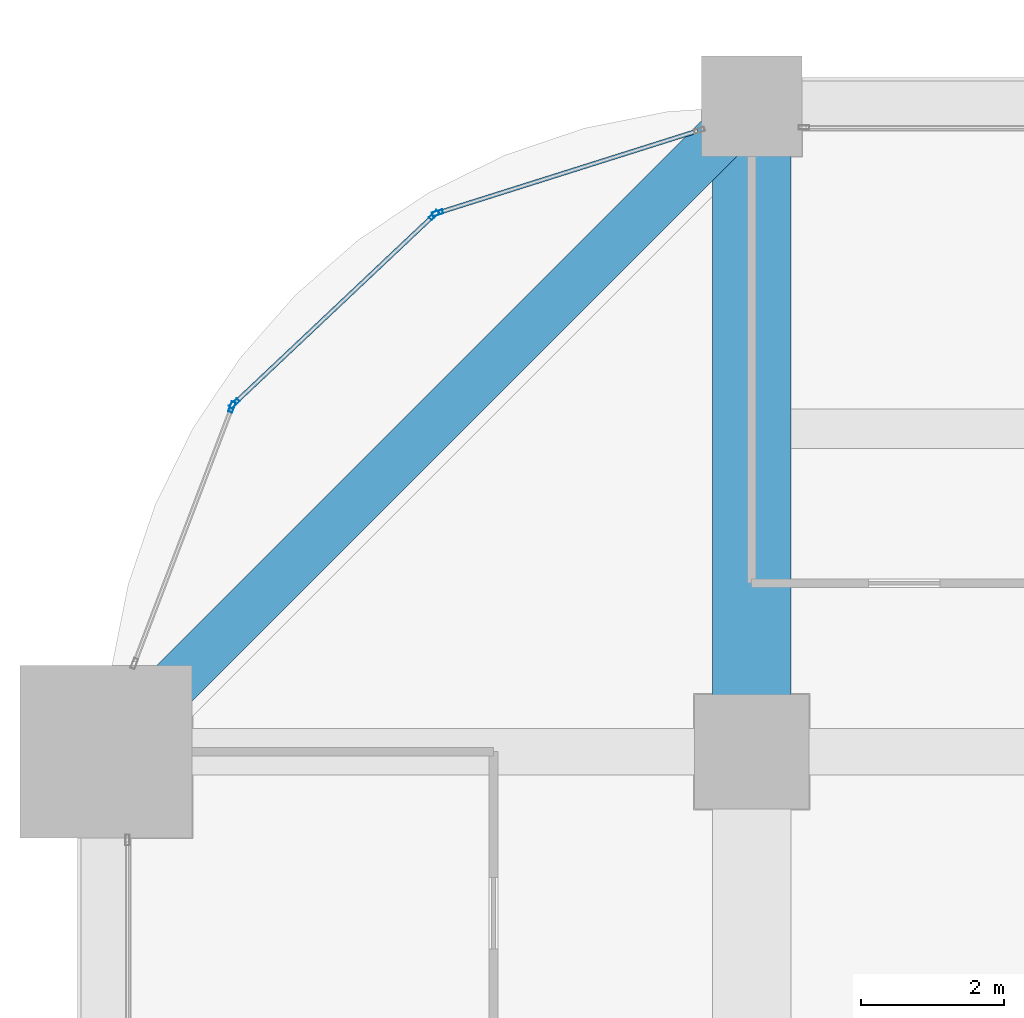
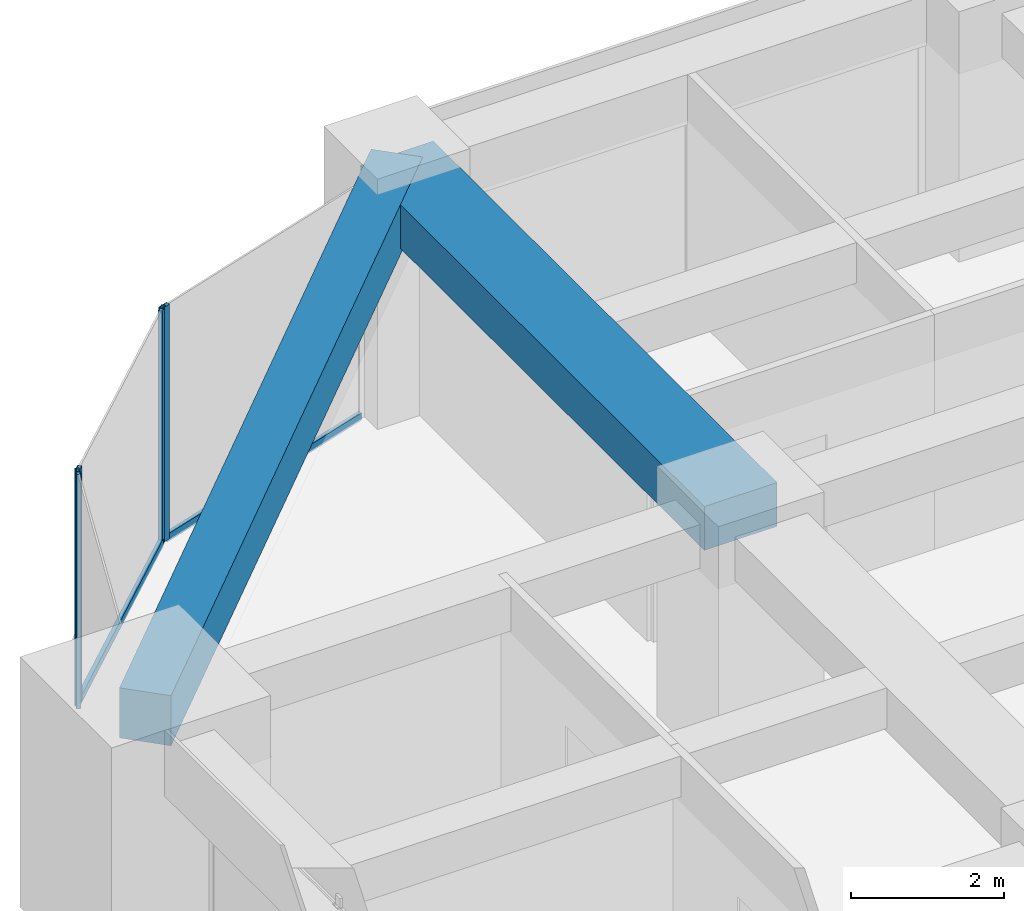
# One storey, part 22 of 34: 6 members, 2 beams, 3 elements without a shape of their own.
"""IFC4 building model written with IfcOpenShell, lengths in metres."""

import ifcopenshell
import ifcopenshell.guid

model = None  # the IFC model being written
_history = None  # IfcOwnerHistory: only IFC2X3 demands one
_inside = {}  # id of a spatial element -> (the spatial element, [elements in it])
_under = {}  # id of a project, library or spatial element -> (it, [spatial elements below it])
_declared = {}  # id of a project -> (the project, [libraries it declares])
_typed = {}  # id of a type object -> (the type object, [elements of that type])
_made_of = {}  # id of a material, layer set ... -> (it, [elements and type objects made of it])


def new_model(schema):
    """Start an empty IFC model of exactly this schema.

    Asked for "IFC4X3", IfcOpenShell would pick the latest addendum, in which some entities
    have other attributes; the version numbers below select the first issue.
    IFC2X3 requires an IfcOwnerHistory on every rooted entity: one is made here for all.
    """
    global model, _history
    if schema == "IFC4X3":
        model = ifcopenshell.file(schema_version=(4, 3, 0, 0))
    else:
        model = ifcopenshell.file(schema=schema)
    _inside.clear()
    _under.clear()
    _declared.clear()
    _typed.clear()
    _made_of.clear()
    _history = None
    if model.schema == "IFC2X3":
        org = make("IfcOrganization", Name="unknown")
        user = make(
            "IfcPersonAndOrganization",
            ThePerson=make("IfcPerson", FamilyName="unknown"),
            TheOrganization=org,
        )
        app = make(
            "IfcApplication",
            ApplicationDeveloper=org,
            Version="unknown",
            ApplicationFullName="unknown",
            ApplicationIdentifier="unknown",
        )
        _history = make(
            "IfcOwnerHistory",
            OwningUser=user,
            OwningApplication=app,
            ChangeAction="ADDED",
            CreationDate=0,
        )
    return model


def make(cls, **values):
    """One entity of the class cls with the attributes given. An attribute that is None is left unset."""
    return model.create_entity(
        cls, **{name: value for name, value in values.items() if value is not None}
    )


def rooted(cls, **values):
    """An entity with a GlobalId (a new one), such as an element, a storey or a relation."""
    return make(cls, GlobalId=ifcopenshell.guid.new(), OwnerHistory=_history, **values)


def si_unit(unit_type, name, prefix=None):
    """IfcSIUnit, for example si_unit("LENGTHUNIT", "METRE", prefix="MILLI")."""
    return make("IfcSIUnit", UnitType=unit_type, Prefix=prefix, Name=name)


def assignment(units):
    """IfcUnitAssignment: the units of a project."""
    return None if units is None else make("IfcUnitAssignment", Units=units)


def point(xyz):
    """IfcCartesianPoint."""
    return None if xyz is None else make("IfcCartesianPoint", Coordinates=xyz)


def direction(xyz):
    """IfcDirection."""
    return None if xyz is None else make("IfcDirection", DirectionRatios=xyz)


def frame(location, z_axis=None, x_axis=None):
    """IfcAxis2Placement3D, a coordinate frame: its origin and axes. An axis left out is left unset."""
    return make(
        "IfcAxis2Placement3D",
        Location=point(location),
        Axis=direction(z_axis),
        RefDirection=direction(x_axis),
    )


def frame_2d(location, x_axis=None):
    """IfcAxis2Placement2D, a coordinate frame in the plane: its origin and x axis."""
    return make(
        "IfcAxis2Placement2D", Location=point(location), RefDirection=direction(x_axis)
    )


def origin():
    """The frame at (0, 0, 0) with its axes left unset."""
    return frame((0.0, 0.0, 0.0))


def origin_2d():
    """The frame at (0, 0) in the plane with its x axis left unset."""
    return frame_2d((0.0, 0.0))


def place(relative_to, where):
    """IfcLocalPlacement: puts the frame where relative to a parent placement (None: the world)."""
    return make(
        "IfcLocalPlacement", PlacementRelTo=relative_to, RelativePlacement=where
    )


def context(
    kind, dimensions, precision=None, world=None, true_north=None, identifier=None
):
    """IfcGeometricRepresentationContext, for example the 3D "Model" context."""
    return make(
        "IfcGeometricRepresentationContext",
        ContextIdentifier=identifier,
        ContextType=kind,
        CoordinateSpaceDimension=dimensions,
        Precision=precision,
        WorldCoordinateSystem=world,
        TrueNorth=true_north,
    )


def subcontext(parent, identifier, kind, view, scale=None):
    """IfcGeometricRepresentationSubContext, for example "Body" below "Model"."""
    return make(
        "IfcGeometricRepresentationSubContext",
        ContextIdentifier=identifier,
        ContextType=kind,
        ParentContext=parent,
        TargetScale=scale,
        TargetView=view,
    )


def project(units=None, contexts=None):
    """IfcProject with its units and contexts."""
    return rooted(
        "IfcProject",
        Name="project",
        RepresentationContexts=contexts,
        UnitsInContext=assignment(units),
    )


def spatial(cls, under=None, at=None, **own):
    """A site, building, storey or space (cls), placed at a placement, below another one or the project."""
    s = rooted(cls, ObjectPlacement=at, **own)
    if under is not None:
        _under.setdefault(under.id(), (under, []))[1].append(s)
    return s


def profile(cls, at=None, kind="AREA", **sizes):
    """A parametric profile (cls). Its sizes go by their IFC names, for example OverallWidth=200.0."""
    return make(cls, ProfileType=kind, Position=at, **sizes)


def rectangle(**sizes):
    """IfcRectangleProfileDef."""
    return profile("IfcRectangleProfileDef", **sizes)


def hollow_rectangle(**sizes):
    """IfcRectangleHollowProfileDef."""
    return profile("IfcRectangleHollowProfileDef", **sizes)


def extrude(swept, where, along, depth):
    """IfcExtrudedAreaSolid: the profile swept, set in the frame where, extruded along a direction by depth."""
    return make(
        "IfcExtrudedAreaSolid",
        SweptArea=swept,
        Position=where,
        ExtrudedDirection=direction(along),
        Depth=depth,
    )


def shape(context_of_items, identifier, shape_type, items):
    """IfcShapeRepresentation: the items that make up one representation, for example the "Body"."""
    return make(
        "IfcShapeRepresentation",
        ContextOfItems=context_of_items,
        RepresentationIdentifier=identifier,
        RepresentationType=shape_type,
        Items=items,
    )


def material(Name=None, Category=None):
    """IfcMaterial."""
    return make("IfcMaterial", Name=Name, Category=Category)


def material_profile(
    of_material, cross_section, Name=None, Category=None, Priority=None
):
    """IfcMaterialProfile: a cross section and its material."""
    return make(
        "IfcMaterialProfile",
        Name=Name,
        Material=of_material,
        Profile=cross_section,
        Priority=Priority,
        Category=Category,
    )


def profile_set(profiles, Name=None, composite=None):
    """IfcMaterialProfileSet."""
    return make(
        "IfcMaterialProfileSet",
        Name=Name,
        MaterialProfiles=profiles,
        CompositeProfile=composite,
    )


def made_of(thing, what):
    """Note that an element or type object is made of a material, layer set ...; save() writes the relation."""
    if what is not None:
        _made_of.setdefault(what.id(), (what, []))[1].append(thing)
    return thing


def type_object(cls, material=None, **own):
    """A type object (cls), such as IfcWallType, which elements share."""
    return made_of(rooted(cls, **own), material)


def element(
    cls,
    number,
    at=None,
    inside=None,
    cuts=None,
    type_object=None,
    material=None,
    context=None,
    identifier="Body",
    shape_type=None,
    held_by="IfcProductDefinitionShape",
    body=None,
    shapes=None,
    **own,
):
    """One element of the class cls, such as IfcWall. Its Tag is "e" and its number.

    at: its placement. inside: the storey or other place that contains it. cuts: it is an
    opening in that element (IfcRelVoidsElement). A single representation is given by context,
    identifier, shape_type and body (its items); several are given by shapes. held_by: the class
    of the entity that holds the representations. save() writes the other relations.
    """
    e = rooted(cls, Tag="e%d" % number, ObjectPlacement=at, **own)
    if body is not None:
        shapes = [shape(context, identifier, shape_type, body)]
    if shapes is not None:
        e.Representation = make(held_by, Representations=shapes)
    if inside is not None:
        _inside.setdefault(inside.id(), (inside, []))[1].append(e)
    if cuts is not None:
        rooted(
            "IfcRelVoidsElement", RelatingBuildingElement=cuts, RelatedOpeningElement=e
        )
    if type_object is not None:
        _typed.setdefault(type_object.id(), (type_object, []))[1].append(e)
    return made_of(e, material)


def aggregate(whole, parts):
    """IfcRelAggregates: a whole, such as a stair, and the parts it consists of."""
    return rooted("IfcRelAggregates", RelatingObject=whole, RelatedObjects=parts)


def save(model, path):
    """Write the relations noted so far, then the file.

    IfcRelAggregates (storeys below a building ...), IfcRelContainedInSpatialStructure (elements
    in a storey), IfcRelDefinesByType, IfcRelAssociatesMaterial and IfcRelDeclares: one each for
    every whole, place, type object, material and project.
    """
    for whole, parts in _under.values():
        aggregate(whole, parts)
    for where, things in _inside.values():
        rooted(
            "IfcRelContainedInSpatialStructure",
            RelatedElements=things,
            RelatingStructure=where,
        )
    for kind, things in _typed.values():
        rooted("IfcRelDefinesByType", RelatedObjects=things, RelatingType=kind)
    for what, things in _made_of.values():
        rooted("IfcRelAssociatesMaterial", RelatedObjects=things, RelatingMaterial=what)
    for by, libraries in _declared.values():
        rooted("IfcRelDeclares", RelatingContext=by, RelatedDefinitions=libraries)
    model.write(path)


model = new_model("IFC4")

# Units and contexts
model_context = context("Model", 3, precision=1e-05, world=origin(), true_north=direction((0.0, 1.0)))
body_context = subcontext(model_context, "Body", "Model", "MODEL_VIEW")
ifc_project = project(units=[si_unit("LENGTHUNIT", "METRE"), si_unit("AREAUNIT", "SQUARE_METRE"), si_unit("VOLUMEUNIT", "CUBIC_METRE"), si_unit("PLANEANGLEUNIT", "RADIAN"), si_unit("MASSUNIT", "GRAM", prefix="KILO")], contexts=[model_context])

# Site, building, storey
site_placement = place(None, origin())
site = spatial("IfcSite", under=ifc_project, at=site_placement, CompositionType="ELEMENT")
building_placement = place(site_placement, origin())
building = spatial("IfcBuilding", under=site, at=building_placement, Name="Zorevar Civic Tower", CompositionType="ELEMENT")
storey_placement = place(building_placement, frame((0.0, 0.0, 170.199951171875)))
storey = spatial("IfcBuildingStorey", under=building, at=storey_placement, Name="L41", CompositionType="ELEMENT", Elevation=170.199951171875)

# Beam
ifc_material_1 = material(Name="Concrete C50/60", Category="concrete")
ifc_material_profile_1 = material_profile(ifc_material_1, rectangle(XDim=1.10009765625, YDim=0.699951171875, at=origin_2d()), Name="RC 1100x700")
ifc_profile_set_1 = profile_set([ifc_material_profile_1], Name="Concrete C50/60")
beam_type_1 = type_object("IfcBeamType", Name="Beam RC 1100x700", PredefinedType="BEAM", material=ifc_profile_set_1)
beam_1_placement = place(storey_placement, frame((9.0, 36.0, 3.400146484375), z_axis=(0.0, 1.0, 0.0), x_axis=(-1.0, 0.0, 0.0)))
element("IfcBeam", 1, at=beam_1_placement, inside=storey, type_object=beam_type_1, Name="Girder L42", PredefinedType="BEAM", context=body_context, shape_type="SweptSolid", body=[
    extrude(rectangle(XDim=1.10009765625, YDim=0.699951171875, at=origin_2d()), origin(), (0.0, 0.0, 1.0), 9.0),
])

# Curtain wall, member
ifc_material_2 = material(Name="Dark grey solar-control glass in black aluminium frame", Category="aluminium")
curtain_wall_type = type_object("IfcCurtainWallType", Name="Curtain wall CW4 high zone", PredefinedType="NOTDEFINED", material=ifc_material_2)
curtain_wall_1_placement = place(storey_placement, origin())
curtain_wall_1 = element("IfcCurtainWall", 2, at=curtain_wall_1_placement, inside=storey, type_object=curtain_wall_type, Name="CW4 L41", PredefinedType="NOTDEFINED")
ifc_material_3 = material(Name="Aluminium, black anodised", Category="aluminium")
ifc_material_profile_2 = material_profile(ifc_material_3, hollow_rectangle(XDim=0.06005859375, YDim=0.14990234375, WallThickness=0.00390625, at=origin_2d()), Name="AL 150x60x4")
ifc_profile_set_2 = profile_set([ifc_material_profile_2], Name="Aluminium, black anodised")
member_type_1 = type_object("IfcMemberType", Name="CW4 mullion AL 150x60x4", PredefinedType="MULLION", material=ifc_profile_set_2)
member_1_placement = place(storey_placement, frame((4.62158203125, 43.51025390625, 0.0), z_axis=(0.0, 0.0, 1.0), x_axis=(0.301108296077, -0.953589950678, 0.0)))
member_1 = element("IfcMember", 3, at=member_1_placement, type_object=member_type_1, Name="CW4 mullion 2", PredefinedType="MULLION", context=body_context, shape_type="SweptSolid", body=[
    extrude(hollow_rectangle(XDim=0.06005859375, YDim=0.14990234375, WallThickness=0.00390625, at=origin_2d()), origin(), (0.0, 0.0, 1.0), 3.75),
])

# Curtain wall, members
curtain_wall_2_placement = place(storey_placement, origin())
curtain_wall_2 = element("IfcCurtainWall", 4, at=curtain_wall_2_placement, inside=storey, type_object=curtain_wall_type, Name="CW4 L41", PredefinedType="NOTDEFINED")
member_2_placement = place(storey_placement, frame((4.5712890625, 43.480712890625, 0.0), z_axis=(0.0, 0.0, 1.0), x_axis=(0.686377907265, -0.727245053898, 0.0)))
member_2 = element("IfcMember", 5, at=member_2_placement, type_object=member_type_1, Name="CW4 mullion 1", PredefinedType="MULLION", context=body_context, shape_type="SweptSolid", body=[
    extrude(hollow_rectangle(XDim=0.06005859375, YDim=0.14990234375, WallThickness=0.00390625, at=origin_2d()), origin(), (0.0, 0.0, 1.0), 3.75),
])
member_3_placement = place(storey_placement, frame((1.787841796875, 40.853759765625, 0.0), z_axis=(0.0, 0.0, 1.0), x_axis=(0.686377907265, -0.727245053898, 0.0)))
member_3 = element("IfcMember", 6, at=member_3_placement, type_object=member_type_1, Name="CW4 mullion 2", PredefinedType="MULLION", context=body_context, shape_type="SweptSolid", body=[
    extrude(hollow_rectangle(XDim=0.06005859375, YDim=0.14990234375, WallThickness=0.00390625, at=origin_2d()), origin(), (0.0, 0.0, 1.0), 3.75),
])

# Curtain wall, member
curtain_wall_3_placement = place(storey_placement, origin())
curtain_wall_3 = element("IfcCurtainWall", 7, at=curtain_wall_3_placement, inside=storey, type_object=curtain_wall_type, Name="CW4 L41", PredefinedType="NOTDEFINED")
member_4_placement = place(storey_placement, frame((1.75537109375, 40.804931640625, 0.0), z_axis=(0.0, 0.0, 1.0), x_axis=(0.93458842801, -0.355730895803, 0.0)))
member_4 = element("IfcMember", 8, at=member_4_placement, type_object=member_type_1, Name="CW4 mullion 1", PredefinedType="MULLION", context=body_context, shape_type="SweptSolid", body=[
    extrude(hollow_rectangle(XDim=0.06005859375, YDim=0.14990234375, WallThickness=0.00390625, at=origin_2d()), origin(), (0.0, 0.0, 1.0), 3.75),
])
aggregate(curtain_wall_3, [member_4])

# Member
ifc_material_4 = material(Name="Aluminium, black anodised", Category="aluminium")
ifc_material_profile_3 = material_profile(ifc_material_4, hollow_rectangle(XDim=0.06005859375, YDim=0.1201171875, WallThickness=0.0029296875, at=origin_2d()), Name="AL 120x60x3")
ifc_profile_set_3 = profile_set([ifc_material_profile_3], Name="Aluminium, black anodised")
member_type_2 = type_object("IfcMemberType", Name="CW4 transom AL 120x60x3", PredefinedType="USERDEFINED", material=ifc_profile_set_3)
member_5_placement = place(storey_placement, frame((8.24267578125, 44.653564453125, 0.030029296875), z_axis=(-0.953592459367, -0.301100351109, 0.0), x_axis=(0.301100351109, -0.953592459367, 0.0)))
member_5 = element("IfcMember", 9, at=member_5_placement, type_object=member_type_2, Name="CW4 sill transom", ObjectType="TRANSOM", PredefinedType="USERDEFINED", context=body_context, shape_type="SweptSolid", body=[
    extrude(hollow_rectangle(XDim=0.06005859375, YDim=0.1201171875, WallThickness=0.0029296875, at=origin_2d()), origin(), (0.0, 0.0, 1.0), 3.76708984375),
])

aggregate(curtain_wall_1, [member_1, member_5])

member_6_placement = place(storey_placement, frame((4.549560546875, 43.4599609375, 0.030029296875), z_axis=(-0.727288059227, -0.686332338526, 0.0), x_axis=(0.686332338526, -0.727288059227, 0.0)))
member_6 = element("IfcMember", 10, at=member_6_placement, type_object=member_type_2, Name="CW4 sill transom", ObjectType="TRANSOM", PredefinedType="USERDEFINED", context=body_context, shape_type="SweptSolid", body=[
    extrude(hollow_rectangle(XDim=0.06005859375, YDim=0.1201171875, WallThickness=0.0029296875, at=origin_2d()), origin(), (0.0, 0.0, 1.0), 3.767333984375),
])

aggregate(curtain_wall_2, [member_2, member_3, member_6])

# Beam
ifc_material_5 = material(Name="Concrete C50/60", Category="concrete")
ifc_material_profile_4 = material_profile(ifc_material_5, rectangle(XDim=0.699951171875, YDim=0.800048828125, at=origin_2d()), Name="RC 700x800")
ifc_profile_set_4 = profile_set([ifc_material_profile_4], Name="Concrete C50/60")
beam_type_2 = type_object("IfcBeamType", Name="Edge beam RC 700x800", PredefinedType="SPANDREL", material=ifc_profile_set_4)
beam_2_placement = place(storey_placement, frame((9.0, 45.0, 3.35009765625), z_axis=(-0.707106781187, -0.707106781187, 0.0), x_axis=(0.707106781187, -0.707106781187, 0.0)))
element("IfcBeam", 11, at=beam_2_placement, inside=storey, type_object=beam_type_2, Name="Corner edge beam L42", PredefinedType="SPANDREL", context=body_context, shape_type="SweptSolid", body=[
    extrude(rectangle(XDim=0.699951171875, YDim=0.800048828125, at=origin_2d()), origin(), (0.0, 0.0, 1.0), 12.72802734375),
])

save(model, "model.ifc")
